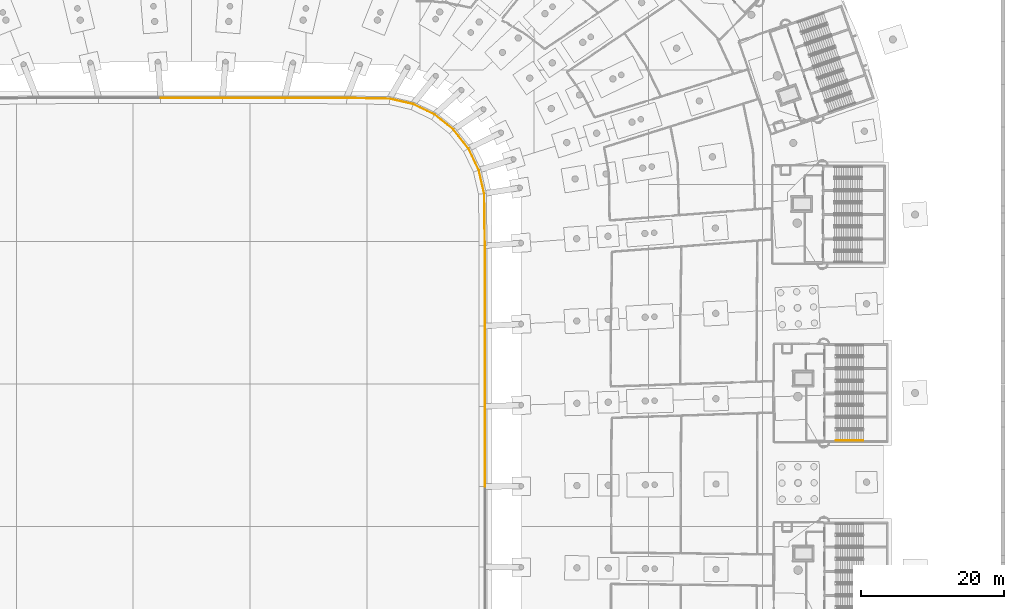
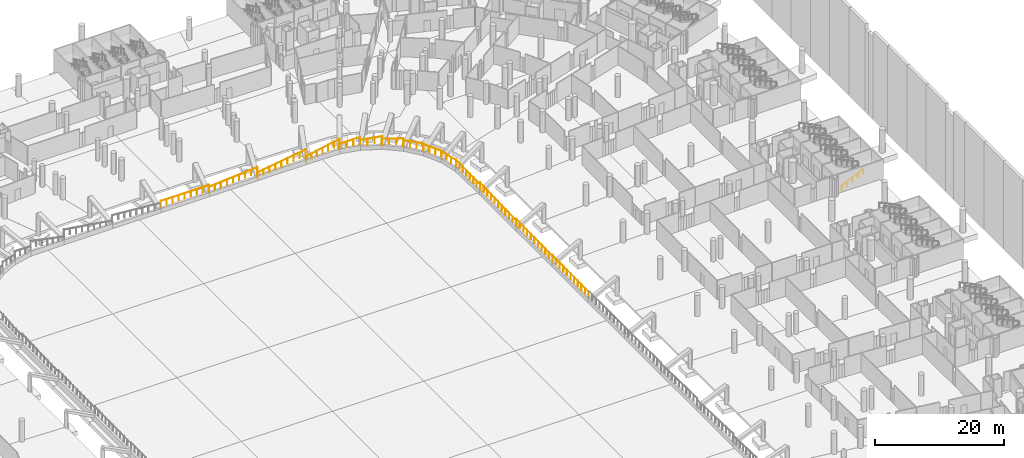
# One storey, part 134 of 142: 15 railings.
"""IFC4 building model written with IfcOpenShell, lengths in metres."""

from ifc_helpers import new_model, si_unit, direction, frame, origin, origin_2d, place, context, subcontext, project, spatial, circle, extrude, material, type_object, element, save


model = new_model("IFC4")

# Units and contexts
model_context = context("Model", 3, precision=1e-05, world=origin(), true_north=direction((0.0, 1.0)))
body_context = subcontext(model_context, "Body", "Model", "MODEL_VIEW")
ifc_project = project(units=[si_unit("LENGTHUNIT", "METRE"), si_unit("AREAUNIT", "SQUARE_METRE"), si_unit("VOLUMEUNIT", "CUBIC_METRE"), si_unit("PLANEANGLEUNIT", "RADIAN"), si_unit("MASSUNIT", "GRAM", prefix="KILO")], contexts=[model_context])

# Site, building, storey
site_placement = place(None, origin())
site = spatial("IfcSite", under=ifc_project, at=site_placement, CompositionType="ELEMENT")
building_placement = place(site_placement, origin())
building = spatial("IfcBuilding", under=site, at=building_placement, Name="Meseta Stadium", CompositionType="ELEMENT")
storey_placement = place(building_placement, frame((0.0, 0.0, -4.0)))
storey = spatial("IfcBuildingStorey", under=building, at=storey_placement, Name="B1", CompositionType="ELEMENT", Elevation=-4.0)

# Railings
ifc_material_1 = material(Name="Steel S355", Category="steel")
railing_type_1 = type_object("IfcRailingType", Name="Stair handrail 900", PredefinedType="HANDRAIL", material=ifc_material_1)
railing_1_placement = place(storey_placement, frame((90.300048828125, 12.10009765625, 0.15380859375)))
element("IfcRailing", 1, at=railing_1_placement, inside=storey, type_object=railing_type_1, Name="ST13 B1 handrail 1", PredefinedType="HANDRAIL", context=body_context, shape_type="SweptSolid", body=[
    extrude(circle(Radius=0.02392578125, at=origin_2d()), frame((0.0, 0.0, 0.8759765625), z_axis=(0.901242096526, 0.0, 0.43331591645), x_axis=(0.0, 1.0, 0.0)), (0.0, 0.0, 1.0), 4.260498046875),
    extrude(circle(Radius=0.02099609375, at=origin_2d()), origin(), (0.0, 0.0, 1.0), 0.851806640625),
    extrude(circle(Radius=0.02099609375, at=origin_2d()), frame((0.9599609375, 0.0, 0.46142578125)), (0.0, 0.0, 1.0), 0.851806640625),
    extrude(circle(Radius=0.02099609375, at=origin_2d()), frame((1.919921875, 0.0, 0.923095703125)), (0.0, 0.0, 1.0), 0.851806640625),
    extrude(circle(Radius=0.02099609375, at=origin_2d()), frame((2.8798828125, 0.0, 1.384765625)), (0.0, 0.0, 1.0), 0.851806640625),
    extrude(circle(Radius=0.02099609375, at=origin_2d()), frame((3.83984375, 0.0, 1.84619140625)), (0.0, 0.0, 1.0), 0.851806640625),
])
ifc_material_2 = material(Name="Steel S355", Category="steel")
railing_type_2 = type_object("IfcRailingType", Name="Stand edge guard 1100", PredefinedType="GUARDRAIL", material=ifc_material_2)
railing_2_placement = place(storey_placement, frame((41.10009765625, 5.626220703125, 0.988037109375)))
element("IfcRailing", 2, at=railing_2_placement, inside=storey, type_object=railing_type_2, Name="Stand lower tier front guard bay 06", PredefinedType="GUARDRAIL", context=body_context, shape_type="SweptSolid", body=[
    extrude(circle(Radius=0.02490234375, at=origin_2d()), frame((0.0, 0.0, 1.0751953125), z_axis=(-2.1695791e-05, 0.999937333471, 0.011195028403), x_axis=(-0.999999999765, -2.1697151e-05, 0.0)), (0.0, 0.0, 1.0), 11.2529296875),
    extrude(circle(Radius=0.02001953125, at=origin_2d()), origin(), (0.0, 0.0, 1.0), 1.050048828125),
    extrude(circle(Radius=0.02001953125, at=origin_2d()), frame((0.0, 1.125244140625, 0.0126953125)), (0.0, 0.0, 1.0), 1.050048828125),
    extrude(circle(Radius=0.02001953125, at=origin_2d()), frame((0.0, 2.25048828125, 0.025146484375)), (0.0, 0.0, 1.0), 1.050048828125),
    extrude(circle(Radius=0.02001953125, at=origin_2d()), frame((0.0, 3.375732421875, 0.037841796875)), (0.0, 0.0, 1.0), 1.050048828125),
    extrude(circle(Radius=0.02001953125, at=origin_2d()), frame((0.0, 4.5009765625, 0.05029296875)), (0.0, 0.0, 1.0), 1.050048828125),
    extrude(circle(Radius=0.02001953125, at=origin_2d()), frame((0.0, 5.6259765625, 0.06298828125)), (0.0, 0.0, 1.0), 1.050048828125),
    extrude(circle(Radius=0.02001953125, at=origin_2d()), frame((-0.000244140625, 6.751220703125, 0.07568359375)), (0.0, 0.0, 1.0), 1.050048828125),
    extrude(circle(Radius=0.02001953125, at=origin_2d()), frame((-0.000244140625, 7.87646484375, 0.088134765625)), (0.0, 0.0, 1.0), 1.050048828125),
    extrude(circle(Radius=0.02001953125, at=origin_2d()), frame((-0.000244140625, 9.001708984375, 0.100830078125)), (0.0, 0.0, 1.0), 1.050048828125),
    extrude(circle(Radius=0.02001953125, at=origin_2d()), frame((-0.000244140625, 10.126953125, 0.11328125)), (0.0, 0.0, 1.0), 1.050048828125),
    extrude(circle(Radius=0.02001953125, at=origin_2d()), frame((-0.000244140625, 11.252197265625, 0.1259765625)), (0.0, 0.0, 1.0), 1.050048828125),
])
railing_3_placement = place(storey_placement, frame((41.099853515625, 16.87841796875, 0.92529296875)))
element("IfcRailing", 3, at=railing_3_placement, inside=storey, type_object=railing_type_2, Name="Stand lower tier front guard bay 07", PredefinedType="GUARDRAIL", context=body_context, shape_type="SweptSolid", body=[
    extrude(circle(Radius=0.02490234375, at=origin_2d()), frame((0.0, 0.0, 1.0751953125), z_axis=(0.0, 0.999750375479, 0.022342487074), x_axis=(-1.0, 0.0, 0.0)), (0.0, 0.0, 1.0), 11.255126953125),
    extrude(circle(Radius=0.02001953125, at=origin_2d()), origin(), (0.0, 0.0, 1.0), 1.050048828125),
    extrude(circle(Radius=0.02001953125, at=origin_2d()), frame((0.0, 1.125244140625, 0.025146484375)), (0.0, 0.0, 1.0), 1.050048828125),
    extrude(circle(Radius=0.02001953125, at=origin_2d()), frame((0.0, 2.25048828125, 0.05029296875)), (0.0, 0.0, 1.0), 1.050048828125),
    extrude(circle(Radius=0.02001953125, at=origin_2d()), frame((0.0, 3.375732421875, 0.075439453125)), (0.0, 0.0, 1.0), 1.050048828125),
    extrude(circle(Radius=0.02001953125, at=origin_2d()), frame((0.0, 4.5009765625, 0.1005859375)), (0.0, 0.0, 1.0), 1.050048828125),
    extrude(circle(Radius=0.02001953125, at=origin_2d()), frame((0.0, 5.6259765625, 0.125732421875)), (0.0, 0.0, 1.0), 1.050048828125),
    extrude(circle(Radius=0.02001953125, at=origin_2d()), frame((0.0, 6.751220703125, 0.15087890625)), (0.0, 0.0, 1.0), 1.050048828125),
    extrude(circle(Radius=0.02001953125, at=origin_2d()), frame((0.0, 7.87646484375, 0.176025390625)), (0.0, 0.0, 1.0), 1.050048828125),
    extrude(circle(Radius=0.02001953125, at=origin_2d()), frame((0.0, 9.001708984375, 0.201171875)), (0.0, 0.0, 1.0), 1.050048828125),
    extrude(circle(Radius=0.02001953125, at=origin_2d()), frame((0.0, 10.126953125, 0.226318359375)), (0.0, 0.0, 1.0), 1.050048828125),
    extrude(circle(Radius=0.02001953125, at=origin_2d()), frame((0.0, 11.252197265625, 0.25146484375)), (0.0, 0.0, 1.0), 1.050048828125),
])
railing_4_placement = place(storey_placement, frame((41.099853515625, 28.130615234375, 0.86279296875)))
element("IfcRailing", 4, at=railing_4_placement, inside=storey, type_object=railing_type_2, Name="Stand lower tier front guard bay 08", PredefinedType="GUARDRAIL", context=body_context, shape_type="SweptSolid", body=[
    extrude(circle(Radius=0.02490234375, at=origin_2d()), frame((0.0, 0.0, 1.0751953125), z_axis=(-2.1685018e-05, 0.999440783537, 0.033438297386), x_axis=(-0.999999999765, -2.1697151e-05, 0.0)), (0.0, 0.0, 1.0), 11.258544921875),
    extrude(circle(Radius=0.02001953125, at=origin_2d()), origin(), (0.0, 0.0, 1.0), 1.050048828125),
    extrude(circle(Radius=0.02001953125, at=origin_2d()), frame((0.0, 1.125244140625, 0.03759765625)), (0.0, 0.0, 1.0), 1.050048828125),
    extrude(circle(Radius=0.02001953125, at=origin_2d()), frame((0.0, 2.25048828125, 0.0751953125)), (0.0, 0.0, 1.0), 1.050048828125),
    extrude(circle(Radius=0.02001953125, at=origin_2d()), frame((0.0, 3.375732421875, 0.113037109375)), (0.0, 0.0, 1.0), 1.050048828125),
    extrude(circle(Radius=0.02001953125, at=origin_2d()), frame((0.0, 4.5009765625, 0.150634765625)), (0.0, 0.0, 1.0), 1.050048828125),
    extrude(circle(Radius=0.02001953125, at=origin_2d()), frame((0.0, 5.6259765625, 0.188232421875)), (0.0, 0.0, 1.0), 1.050048828125),
    extrude(circle(Radius=0.02001953125, at=origin_2d()), frame((-0.000244140625, 6.751220703125, 0.225830078125)), (0.0, 0.0, 1.0), 1.050048828125),
    extrude(circle(Radius=0.02001953125, at=origin_2d()), frame((-0.000244140625, 7.87646484375, 0.263427734375)), (0.0, 0.0, 1.0), 1.050048828125),
    extrude(circle(Radius=0.02001953125, at=origin_2d()), frame((-0.000244140625, 9.001708984375, 0.30126953125)), (0.0, 0.0, 1.0), 1.050048828125),
    extrude(circle(Radius=0.02001953125, at=origin_2d()), frame((-0.000244140625, 10.126953125, 0.3388671875)), (0.0, 0.0, 1.0), 1.050048828125),
    extrude(circle(Radius=0.02001953125, at=origin_2d()), frame((-0.000244140625, 11.252197265625, 0.37646484375)), (0.0, 0.0, 1.0), 1.050048828125),
])
railing_5_placement = place(storey_placement, frame((41.099609375, 39.3828125, 0.85498046875)))
element("IfcRailing", 5, at=railing_5_placement, inside=storey, type_object=railing_type_2, Name="Stand lower tier front guard bay 09", PredefinedType="GUARDRAIL", context=body_context, shape_type="SweptSolid", body=[
    extrude(circle(Radius=0.02490234375, at=origin_2d()), frame((0.0, 0.0, 1.0751953125), z_axis=(-0.01300108037, 0.99848297239, 0.053504446137), x_axis=(-0.999915239727, -0.013019729684, 0.0)), (0.0, 0.0, 1.0), 7.32373046875),
    extrude(circle(Radius=0.02001953125, at=origin_2d()), origin(), (0.0, 0.0, 1.0), 1.050048828125),
    extrude(circle(Radius=0.02001953125, at=origin_2d()), frame((-0.013671875, 1.044677734375, 0.055908203125)), (0.0, 0.0, 1.0), 1.050048828125),
    extrude(circle(Radius=0.02001953125, at=origin_2d()), frame((-0.027099609375, 2.08935546875, 0.112060546875)), (0.0, 0.0, 1.0), 1.050048828125),
    extrude(circle(Radius=0.02001953125, at=origin_2d()), frame((-0.040771484375, 3.134033203125, 0.16796875)), (0.0, 0.0, 1.0), 1.050048828125),
    extrude(circle(Radius=0.02001953125, at=origin_2d()), frame((-0.054443359375, 4.178466796875, 0.223876953125)), (0.0, 0.0, 1.0), 1.050048828125),
    extrude(circle(Radius=0.02001953125, at=origin_2d()), frame((-0.068115234375, 5.22314453125, 0.27978515625)), (0.0, 0.0, 1.0), 1.050048828125),
    extrude(circle(Radius=0.02001953125, at=origin_2d()), frame((-0.08154296875, 6.267822265625, 0.3359375)), (0.0, 0.0, 1.0), 1.050048828125),
    extrude(circle(Radius=0.02001953125, at=origin_2d()), frame((-0.09521484375, 7.3125, 0.391845703125)), (0.0, 0.0, 1.0), 1.050048828125),
])
railing_6_placement = place(storey_placement, frame((41.00439453125, 46.6953125, 1.04443359375)))
element("IfcRailing", 6, at=railing_6_placement, inside=storey, type_object=railing_type_2, Name="Stand lower tier front guard bay 10", PredefinedType="GUARDRAIL", context=body_context, shape_type="SweptSolid", body=[
    extrude(circle(Radius=0.02490234375, at=origin_2d()), frame((0.0, 0.0, 1.0751953125), z_axis=(-0.222542206518, 0.974915793172, 0.003763315362), x_axis=(-0.974922696888, -0.222543782416, 0.0)), (0.0, 0.0, 1.0), 3.37353515625),
    extrude(circle(Radius=0.02001953125, at=origin_2d()), origin(), (0.0, 0.0, 1.0), 1.050048828125),
    extrude(circle(Radius=0.02001953125, at=origin_2d()), frame((-0.250244140625, 1.09619140625, 0.004150390625)), (0.0, 0.0, 1.0), 1.050048828125),
    extrude(circle(Radius=0.02001953125, at=origin_2d()), frame((-0.50048828125, 2.192626953125, 0.008544921875)), (0.0, 0.0, 1.0), 1.050048828125),
    extrude(circle(Radius=0.02001953125, at=origin_2d()), frame((-0.750732421875, 3.288818359375, 0.0126953125)), (0.0, 0.0, 1.0), 1.050048828125),
])
railing_7_placement = place(storey_placement, frame((40.253662109375, 49.984130859375, 1.113525390625)))
element("IfcRailing", 7, at=railing_7_placement, inside=storey, type_object=railing_type_2, Name="Stand lower tier front guard bay 11", PredefinedType="GUARDRAIL", context=body_context, shape_type="SweptSolid", body=[
    extrude(circle(Radius=0.02490234375, at=origin_2d()), frame((0.0, 0.0, 1.0751953125), z_axis=(-0.433314642165, 0.900478600393, -0.037104057992), x_axis=(-0.901099090594, -0.43361322504, 0.0)), (0.0, 0.0, 1.0), 3.37548828125),
    extrude(circle(Radius=0.02001953125, at=origin_2d()), origin(), (0.0, 0.0, 1.0), 1.050048828125),
    extrude(circle(Radius=0.02001953125, at=origin_2d()), frame((-0.487548828125, 1.01318359375, -0.041748046875)), (0.0, 0.0, 1.0), 1.050048828125),
    extrude(circle(Radius=0.02001953125, at=origin_2d()), frame((-0.97509765625, 2.0263671875, -0.08349609375)), (0.0, 0.0, 1.0), 1.050048828125),
    extrude(circle(Radius=0.02001953125, at=origin_2d()), frame((-1.462646484375, 3.03955078125, -0.125244140625)), (0.0, 0.0, 1.0), 1.050048828125),
])
railing_8_placement = place(storey_placement, frame((38.791015625, 53.023681640625, 1.181396484375)))
element("IfcRailing", 8, at=railing_8_placement, inside=storey, type_object=railing_type_2, Name="Stand lower tier front guard bay 12", PredefinedType="GUARDRAIL", context=body_context, shape_type="SweptSolid", body=[
    extrude(circle(Radius=0.02490234375, at=origin_2d()), frame((0.0, 0.0, 1.0751953125), z_axis=(-0.621107743399, 0.779920260037, -0.077133384955), x_axis=(-0.782250755102, -0.62296368766, 0.0)), (0.0, 0.0, 1.0), 3.383544921875),
    extrude(circle(Radius=0.02001953125, at=origin_2d()), origin(), (0.0, 0.0, 1.0), 1.050048828125),
    extrude(circle(Radius=0.02001953125, at=origin_2d()), frame((-0.700439453125, 0.879638671875, -0.0869140625)), (0.0, 0.0, 1.0), 1.050048828125),
    extrude(circle(Radius=0.02001953125, at=origin_2d()), frame((-1.401123046875, 1.75927734375, -0.174072265625)), (0.0, 0.0, 1.0), 1.050048828125),
    extrude(circle(Radius=0.02001953125, at=origin_2d()), frame((-2.1015625, 2.638916015625, -0.260986328125)), (0.0, 0.0, 1.0), 1.050048828125),
])
railing_9_placement = place(storey_placement, frame((36.689453125, 55.66259765625, 1.247314453125)))
element("IfcRailing", 9, at=railing_9_placement, inside=storey, type_object=railing_type_2, Name="Stand lower tier front guard bay 13", PredefinedType="GUARDRAIL", context=body_context, shape_type="SweptSolid", body=[
    extrude(circle(Radius=0.02490234375, at=origin_2d()), frame((0.0, 0.0, 1.0751953125), z_axis=(-0.775984803818, 0.620054561139, -0.115671627695), x_axis=(-0.624244799045, -0.781228795466, 0.0)), (0.0, 0.0, 1.0), 3.39599609375),
    extrude(circle(Radius=0.02001953125, at=origin_2d()), origin(), (0.0, 0.0, 1.0), 1.050048828125),
    extrude(circle(Radius=0.02001953125, at=origin_2d()), frame((-0.87841796875, 0.701904296875, -0.130859375)), (0.0, 0.0, 1.0), 1.050048828125),
    extrude(circle(Radius=0.02001953125, at=origin_2d()), frame((-1.7568359375, 1.40380859375, -0.261962890625)), (0.0, 0.0, 1.0), 1.050048828125),
    extrude(circle(Radius=0.02001953125, at=origin_2d()), frame((-2.63525390625, 2.105712890625, -0.392822265625)), (0.0, 0.0, 1.0), 1.050048828125),
])
railing_10_placement = place(storey_placement, frame((34.05419921875, 57.768310546875, 1.309814453125)))
element("IfcRailing", 10, at=railing_10_placement, inside=storey, type_object=railing_type_2, Name="Stand lower tier front guard bay 14", PredefinedType="GUARDRAIL", context=body_context, shape_type="SweptSolid", body=[
    extrude(circle(Radius=0.02490234375, at=origin_2d()), frame((0.0, 0.0, 1.0751953125), z_axis=(-0.889933187365, 0.430086681868, -0.151803715722), x_axis=(-0.435129546324, -0.900367856998, 0.0)), (0.0, 0.0, 1.0), 3.412841796875),
    extrude(circle(Radius=0.02001953125, at=origin_2d()), origin(), (0.0, 0.0, 1.0), 1.050048828125),
    extrude(circle(Radius=0.02001953125, at=origin_2d()), frame((-1.012451171875, 0.4892578125, -0.172607421875)), (0.0, 0.0, 1.0), 1.050048828125),
    extrude(circle(Radius=0.02001953125, at=origin_2d()), frame((-2.024658203125, 0.978515625, -0.345458984375)), (0.0, 0.0, 1.0), 1.050048828125),
    extrude(circle(Radius=0.02001953125, at=origin_2d()), frame((-3.037109375, 1.4677734375, -0.51806640625)), (0.0, 0.0, 1.0), 1.050048828125),
])
railing_11_placement = place(storey_placement, frame((31.01708984375, 59.236083984375, 1.3681640625)))
element("IfcRailing", 11, at=railing_11_placement, inside=storey, type_object=railing_type_2, Name="Stand lower tier front guard bay 15", PredefinedType="GUARDRAIL", context=body_context, shape_type="SweptSolid", body=[
    extrude(circle(Radius=0.02490234375, at=origin_2d()), frame((0.0, 0.0, 1.0751953125), z_axis=(-0.957750151687, 0.220269732643, -0.184921312519), x_axis=(-0.224135320488, -0.974558032192, 0.0)), (0.0, 0.0, 1.0), 3.4326171875),
    extrude(circle(Radius=0.02001953125, at=origin_2d()), origin(), (0.0, 0.0, 1.0), 1.050048828125),
    extrude(circle(Radius=0.02001953125, at=origin_2d()), frame((-1.095947265625, 0.251953125, -0.211669921875)), (0.0, 0.0, 1.0), 1.050048828125),
    extrude(circle(Radius=0.02001953125, at=origin_2d()), frame((-2.191650390625, 0.504150390625, -0.423095703125)), (0.0, 0.0, 1.0), 1.050048828125),
    extrude(circle(Radius=0.02001953125, at=origin_2d()), frame((-3.28759765625, 0.756103515625, -0.634765625)), (0.0, 0.0, 1.0), 1.050048828125),
])
railing_12_placement = place(storey_placement, frame((27.7294921875, 59.9921875, 1.70068359375)))
element("IfcRailing", 12, at=railing_12_placement, inside=storey, type_object=railing_type_2, Name="Stand lower tier front guard bay 16", PredefinedType="GUARDRAIL", context=body_context, shape_type="SweptSolid", body=[
    extrude(circle(Radius=0.02490234375, at=origin_2d()), frame((0.0, 0.0, 1.0751953125), z_axis=(-0.977386786679, 0.016354458427, -0.21082599677), x_axis=(-0.016730499741, -0.999860035394, 0.0)), (0.0, 0.0, 1.0), 6.165283203125),
    extrude(circle(Radius=0.02001953125, at=origin_2d()), origin(), (0.0, 0.0, 1.0), 1.050048828125),
    extrude(circle(Radius=0.02001953125, at=origin_2d()), frame((-1.00439453125, 0.016845703125, -0.216552734375)), (0.0, 0.0, 1.0), 1.050048828125),
    extrude(circle(Radius=0.02001953125, at=origin_2d()), frame((-2.008544921875, 0.03369140625, -0.433349609375)), (0.0, 0.0, 1.0), 1.050048828125),
    extrude(circle(Radius=0.02001953125, at=origin_2d()), frame((-3.012939453125, 0.05029296875, -0.64990234375)), (0.0, 0.0, 1.0), 1.050048828125),
    extrude(circle(Radius=0.02001953125, at=origin_2d()), frame((-4.017333984375, 0.067138671875, -0.866455078125)), (0.0, 0.0, 1.0), 1.050048828125),
    extrude(circle(Radius=0.02001953125, at=origin_2d()), frame((-5.021484375, 0.083984375, -1.083251953125)), (0.0, 0.0, 1.0), 1.050048828125),
    extrude(circle(Radius=0.02001953125, at=origin_2d()), frame((-6.02587890625, 0.100830078125, -1.2998046875)), (0.0, 0.0, 1.0), 1.050048828125),
])
railing_13_placement = place(storey_placement, frame((21.70361328125, 60.093017578125, 1.719482421875)))
element("IfcRailing", 13, at=railing_13_placement, inside=storey, type_object=railing_type_2, Name="Stand lower tier front guard bay 17", PredefinedType="GUARDRAIL", context=body_context, shape_type="SweptSolid", body=[
    extrude(circle(Radius=0.02490234375, at=origin_2d()), frame((0.0, 0.0, 1.0751953125), z_axis=(-0.988338128851, 0.000500353996, -0.152274399377), x_axis=(-0.000506257845, -0.999999871851, 0.0)), (0.0, 0.0, 1.0), 8.782958984375),
    extrude(circle(Radius=0.02001953125, at=origin_2d()), origin(), (0.0, 0.0, 1.0), 1.050048828125),
    extrude(circle(Radius=0.02001953125, at=origin_2d()), frame((-1.0849609375, 0.00048828125, -0.167236328125)), (0.0, 0.0, 1.0), 1.050048828125),
    extrude(circle(Radius=0.02001953125, at=origin_2d()), frame((-2.170166015625, 0.0009765625, -0.33447265625)), (0.0, 0.0, 1.0), 1.050048828125),
    extrude(circle(Radius=0.02001953125, at=origin_2d()), frame((-3.255126953125, 0.001708984375, -0.50146484375)), (0.0, 0.0, 1.0), 1.050048828125),
    extrude(circle(Radius=0.02001953125, at=origin_2d()), frame((-4.34033203125, 0.002197265625, -0.668701171875)), (0.0, 0.0, 1.0), 1.050048828125),
    extrude(circle(Radius=0.02001953125, at=origin_2d()), frame((-5.42529296875, 0.002685546875, -0.8359375)), (0.0, 0.0, 1.0), 1.050048828125),
    extrude(circle(Radius=0.02001953125, at=origin_2d()), frame((-6.51025390625, 0.00341796875, -1.0029296875)), (0.0, 0.0, 1.0), 1.050048828125),
    extrude(circle(Radius=0.02001953125, at=origin_2d()), frame((-7.595458984375, 0.00390625, -1.170166015625)), (0.0, 0.0, 1.0), 1.050048828125),
    extrude(circle(Radius=0.02001953125, at=origin_2d()), frame((-8.680419921875, 0.00439453125, -1.33740234375)), (0.0, 0.0, 1.0), 1.050048828125),
])
railing_14_placement = place(storey_placement, frame((13.023193359375, 60.097412109375, 1.397216796875)))
element("IfcRailing", 14, at=railing_14_placement, inside=storey, type_object=railing_type_2, Name="Stand lower tier front guard bay 18", PredefinedType="GUARDRAIL", context=body_context, shape_type="SweptSolid", body=[
    extrude(circle(Radius=0.02490234375, at=origin_2d()), frame((0.0, 0.0, 1.0751953125), z_axis=(-0.996830558854, 0.000252284104, -0.079553587526), x_axis=(-0.000253086238, -0.999999967974, 0.0)), (0.0, 0.0, 1.0), 8.70947265625),
    extrude(circle(Radius=0.02001953125, at=origin_2d()), origin(), (0.0, 0.0, 1.0), 1.050048828125),
    extrude(circle(Radius=0.02001953125, at=origin_2d()), frame((-1.085205078125, 0.000244140625, -0.086669921875)), (0.0, 0.0, 1.0), 1.050048828125),
    extrude(circle(Radius=0.02001953125, at=origin_2d()), frame((-2.17041015625, 0.00048828125, -0.17333984375)), (0.0, 0.0, 1.0), 1.050048828125),
    extrude(circle(Radius=0.02001953125, at=origin_2d()), frame((-3.255615234375, 0.000732421875, -0.259765625)), (0.0, 0.0, 1.0), 1.050048828125),
    extrude(circle(Radius=0.02001953125, at=origin_2d()), frame((-4.3408203125, 0.0009765625, -0.346435546875)), (0.0, 0.0, 1.0), 1.050048828125),
    extrude(circle(Radius=0.02001953125, at=origin_2d()), frame((-5.42626953125, 0.00146484375, -0.43310546875)), (0.0, 0.0, 1.0), 1.050048828125),
    extrude(circle(Radius=0.02001953125, at=origin_2d()), frame((-6.511474609375, 0.001708984375, -0.51953125)), (0.0, 0.0, 1.0), 1.050048828125),
    extrude(circle(Radius=0.02001953125, at=origin_2d()), frame((-7.5966796875, 0.001953125, -0.606201171875)), (0.0, 0.0, 1.0), 1.050048828125),
    extrude(circle(Radius=0.02001953125, at=origin_2d()), frame((-8.681884765625, 0.002197265625, -0.69287109375)), (0.0, 0.0, 1.0), 1.050048828125),
])
railing_15_placement = place(storey_placement, frame((4.34130859375, 60.099609375, 1.05078125)))
element("IfcRailing", 15, at=railing_15_placement, inside=storey, type_object=railing_type_2, Name="Stand lower tier front guard bay 19", PredefinedType="GUARDRAIL", context=body_context, shape_type="SweptSolid", body=[
    extrude(circle(Radius=0.02490234375, at=origin_2d()), frame((0.0, 0.0, 1.0751953125), z_axis=(-1.0, 0.0, 0.0), x_axis=(0.0, -1.0, 0.0)), (0.0, 0.0, 1.0), 8.6826171875),
    extrude(circle(Radius=0.02001953125, at=origin_2d()), origin(), (0.0, 0.0, 1.0), 1.050048828125),
    extrude(circle(Radius=0.02001953125, at=origin_2d()), frame((-1.08544921875, 0.0, 0.0)), (0.0, 0.0, 1.0), 1.050048828125),
    extrude(circle(Radius=0.02001953125, at=origin_2d()), frame((-2.170654296875, 0.0, 0.0)), (0.0, 0.0, 1.0), 1.050048828125),
    extrude(circle(Radius=0.02001953125, at=origin_2d()), frame((-3.255859375, 0.0, 0.0)), (0.0, 0.0, 1.0), 1.050048828125),
    extrude(circle(Radius=0.02001953125, at=origin_2d()), frame((-4.34130859375, 0.0, 0.0)), (0.0, 0.0, 1.0), 1.050048828125),
    extrude(circle(Radius=0.02001953125, at=origin_2d()), frame((-5.4267578125, 0.0, 0.0)), (0.0, 0.0, 1.0), 1.050048828125),
    extrude(circle(Radius=0.02001953125, at=origin_2d()), frame((-6.511962890625, 0.0, 0.0)), (0.0, 0.0, 1.0), 1.050048828125),
    extrude(circle(Radius=0.02001953125, at=origin_2d()), frame((-7.59716796875, 0.0, 0.0)), (0.0, 0.0, 1.0), 1.050048828125),
    extrude(circle(Radius=0.02001953125, at=origin_2d()), frame((-8.6826171875, 0.0, 0.0)), (0.0, 0.0, 1.0), 1.050048828125),
])

save(model, "model.ifc")
